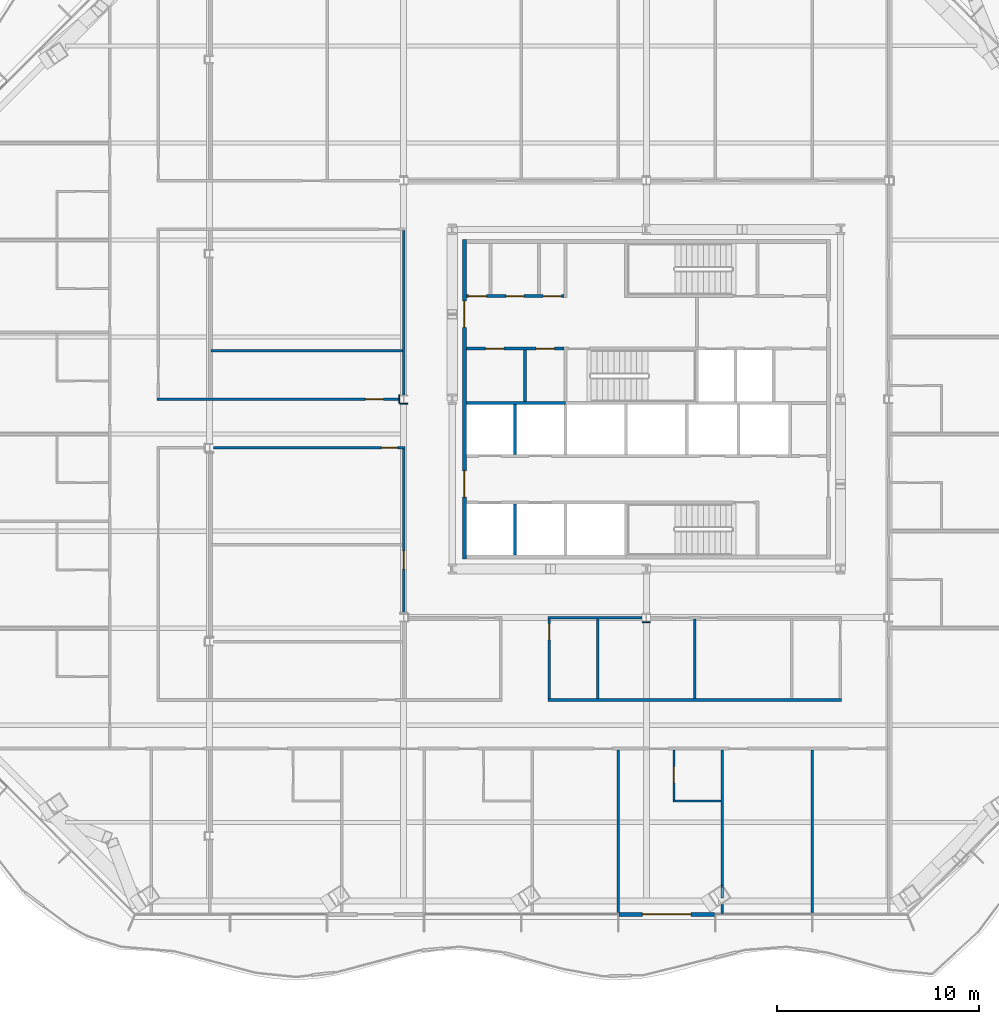
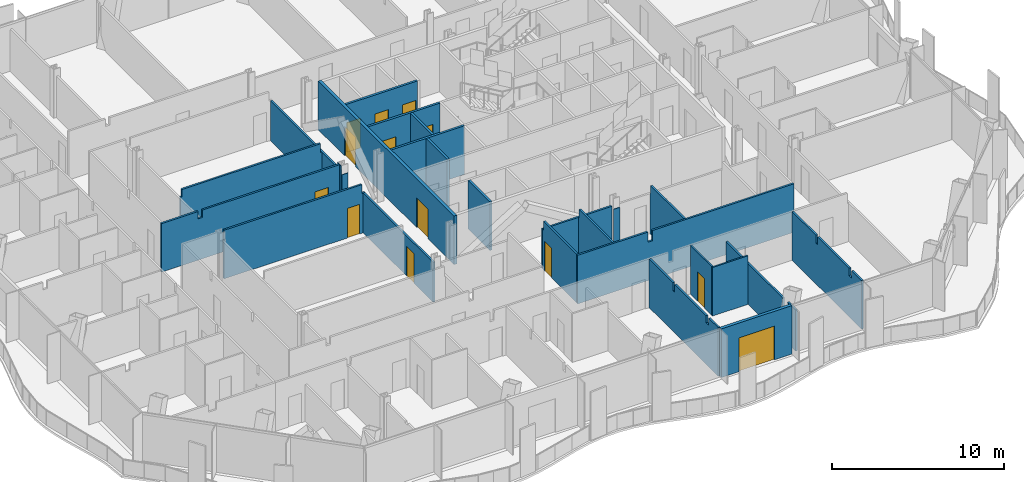
# One storey, part 8 of 17: 27 walls, 13 doors, 13 openings.
"""IFC4 building model written with IfcOpenShell, lengths in metres."""

import ifcopenshell
import ifcopenshell.guid

model = None  # the IFC model being written
_history = None  # IfcOwnerHistory: only IFC2X3 demands one
_inside = {}  # id of a spatial element -> (the spatial element, [elements in it])
_under = {}  # id of a project, library or spatial element -> (it, [spatial elements below it])
_declared = {}  # id of a project -> (the project, [libraries it declares])
_typed = {}  # id of a type object -> (the type object, [elements of that type])
_made_of = {}  # id of a material, layer set ... -> (it, [elements and type objects made of it])


def new_model(schema):
    """Start an empty IFC model of exactly this schema.

    Asked for "IFC4X3", IfcOpenShell would pick the latest addendum, in which some entities
    have other attributes; the version numbers below select the first issue.
    IFC2X3 requires an IfcOwnerHistory on every rooted entity: one is made here for all.
    """
    global model, _history
    if schema == "IFC4X3":
        model = ifcopenshell.file(schema_version=(4, 3, 0, 0))
    else:
        model = ifcopenshell.file(schema=schema)
    _inside.clear()
    _under.clear()
    _declared.clear()
    _typed.clear()
    _made_of.clear()
    _history = None
    if model.schema == "IFC2X3":
        org = make("IfcOrganization", Name="unknown")
        user = make(
            "IfcPersonAndOrganization",
            ThePerson=make("IfcPerson", FamilyName="unknown"),
            TheOrganization=org,
        )
        app = make(
            "IfcApplication",
            ApplicationDeveloper=org,
            Version="unknown",
            ApplicationFullName="unknown",
            ApplicationIdentifier="unknown",
        )
        _history = make(
            "IfcOwnerHistory",
            OwningUser=user,
            OwningApplication=app,
            ChangeAction="ADDED",
            CreationDate=0,
        )
    return model


def make(cls, **values):
    """One entity of the class cls with the attributes given. An attribute that is None is left unset."""
    return model.create_entity(
        cls, **{name: value for name, value in values.items() if value is not None}
    )


def rooted(cls, **values):
    """An entity with a GlobalId (a new one), such as an element, a storey or a relation."""
    return make(cls, GlobalId=ifcopenshell.guid.new(), OwnerHistory=_history, **values)


def si_unit(unit_type, name, prefix=None):
    """IfcSIUnit, for example si_unit("LENGTHUNIT", "METRE", prefix="MILLI")."""
    return make("IfcSIUnit", UnitType=unit_type, Prefix=prefix, Name=name)


def assignment(units):
    """IfcUnitAssignment: the units of a project."""
    return None if units is None else make("IfcUnitAssignment", Units=units)


def point(xyz):
    """IfcCartesianPoint."""
    return None if xyz is None else make("IfcCartesianPoint", Coordinates=xyz)


def direction(xyz):
    """IfcDirection."""
    return None if xyz is None else make("IfcDirection", DirectionRatios=xyz)


def frame(location, z_axis=None, x_axis=None):
    """IfcAxis2Placement3D, a coordinate frame: its origin and axes. An axis left out is left unset."""
    return make(
        "IfcAxis2Placement3D",
        Location=point(location),
        Axis=direction(z_axis),
        RefDirection=direction(x_axis),
    )


def frame_2d(location, x_axis=None):
    """IfcAxis2Placement2D, a coordinate frame in the plane: its origin and x axis."""
    return make(
        "IfcAxis2Placement2D", Location=point(location), RefDirection=direction(x_axis)
    )


def origin():
    """The frame at (0, 0, 0) with its axes left unset."""
    return frame((0.0, 0.0, 0.0))


def place(relative_to, where):
    """IfcLocalPlacement: puts the frame where relative to a parent placement (None: the world)."""
    return make(
        "IfcLocalPlacement", PlacementRelTo=relative_to, RelativePlacement=where
    )


def context(
    kind, dimensions, precision=None, world=None, true_north=None, identifier=None
):
    """IfcGeometricRepresentationContext, for example the 3D "Model" context."""
    return make(
        "IfcGeometricRepresentationContext",
        ContextIdentifier=identifier,
        ContextType=kind,
        CoordinateSpaceDimension=dimensions,
        Precision=precision,
        WorldCoordinateSystem=world,
        TrueNorth=true_north,
    )


def subcontext(parent, identifier, kind, view, scale=None):
    """IfcGeometricRepresentationSubContext, for example "Body" below "Model"."""
    return make(
        "IfcGeometricRepresentationSubContext",
        ContextIdentifier=identifier,
        ContextType=kind,
        ParentContext=parent,
        TargetScale=scale,
        TargetView=view,
    )


def project(units=None, contexts=None):
    """IfcProject with its units and contexts."""
    return rooted(
        "IfcProject",
        Name="project",
        RepresentationContexts=contexts,
        UnitsInContext=assignment(units),
    )


def spatial(cls, under=None, at=None, **own):
    """A site, building, storey or space (cls), placed at a placement, below another one or the project."""
    s = rooted(cls, ObjectPlacement=at, **own)
    if under is not None:
        _under.setdefault(under.id(), (under, []))[1].append(s)
    return s


def polyline(points):
    """IfcPolyline through the points."""
    return make("IfcPolyline", Points=[point(p) for p in points])


def profile(cls, at=None, kind="AREA", **sizes):
    """A parametric profile (cls). Its sizes go by their IFC names, for example OverallWidth=200.0."""
    return make(cls, ProfileType=kind, Position=at, **sizes)


def rectangle(**sizes):
    """IfcRectangleProfileDef."""
    return profile("IfcRectangleProfileDef", **sizes)


def outline(outer, holes=None, kind="AREA"):
    """IfcArbitraryClosedProfileDef: a profile drawn as a closed curve; with holes, ...WithVoids."""
    if holes is None:
        return make("IfcArbitraryClosedProfileDef", ProfileType=kind, OuterCurve=outer)
    return make(
        "IfcArbitraryProfileDefWithVoids",
        ProfileType=kind,
        OuterCurve=outer,
        InnerCurves=holes,
    )


def extrude(swept, where, along, depth):
    """IfcExtrudedAreaSolid: the profile swept, set in the frame where, extruded along a direction by depth."""
    return make(
        "IfcExtrudedAreaSolid",
        SweptArea=swept,
        Position=where,
        ExtrudedDirection=direction(along),
        Depth=depth,
    )


def shape(context_of_items, identifier, shape_type, items):
    """IfcShapeRepresentation: the items that make up one representation, for example the "Body"."""
    return make(
        "IfcShapeRepresentation",
        ContextOfItems=context_of_items,
        RepresentationIdentifier=identifier,
        RepresentationType=shape_type,
        Items=items,
    )


def material(Name=None, Category=None):
    """IfcMaterial."""
    return make("IfcMaterial", Name=Name, Category=Category)


def layer(
    of_material, thickness, ventilated=None, Name=None, Category=None, Priority=None
):
    """IfcMaterialLayer: one layer of a wall or slab, of a material (None: an air gap)."""
    return make(
        "IfcMaterialLayer",
        Material=of_material,
        LayerThickness=thickness,
        IsVentilated=ventilated,
        Name=Name,
        Category=Category,
        Priority=Priority,
    )


def layer_set(layers, Name=None):
    """IfcMaterialLayerSet."""
    return make("IfcMaterialLayerSet", MaterialLayers=layers, LayerSetName=Name)


def made_of(thing, what):
    """Note that an element or type object is made of a material, layer set ...; save() writes the relation."""
    if what is not None:
        _made_of.setdefault(what.id(), (what, []))[1].append(thing)
    return thing


def type_object(cls, material=None, **own):
    """A type object (cls), such as IfcWallType, which elements share."""
    return made_of(rooted(cls, **own), material)


def element(
    cls,
    number,
    at=None,
    inside=None,
    cuts=None,
    type_object=None,
    material=None,
    context=None,
    identifier="Body",
    shape_type=None,
    held_by="IfcProductDefinitionShape",
    body=None,
    shapes=None,
    **own,
):
    """One element of the class cls, such as IfcWall. Its Tag is "e" and its number.

    at: its placement. inside: the storey or other place that contains it. cuts: it is an
    opening in that element (IfcRelVoidsElement). A single representation is given by context,
    identifier, shape_type and body (its items); several are given by shapes. held_by: the class
    of the entity that holds the representations. save() writes the other relations.
    """
    e = rooted(cls, Tag="e%d" % number, ObjectPlacement=at, **own)
    if body is not None:
        shapes = [shape(context, identifier, shape_type, body)]
    if shapes is not None:
        e.Representation = make(held_by, Representations=shapes)
    if inside is not None:
        _inside.setdefault(inside.id(), (inside, []))[1].append(e)
    if cuts is not None:
        rooted(
            "IfcRelVoidsElement", RelatingBuildingElement=cuts, RelatedOpeningElement=e
        )
    if type_object is not None:
        _typed.setdefault(type_object.id(), (type_object, []))[1].append(e)
    return made_of(e, material)


def fill(opening, filler):
    """IfcRelFillsElement: the door or window that sits in an opening."""
    return rooted(
        "IfcRelFillsElement",
        RelatingOpeningElement=opening,
        RelatedBuildingElement=filler,
    )


def aggregate(whole, parts):
    """IfcRelAggregates: a whole, such as a stair, and the parts it consists of."""
    return rooted("IfcRelAggregates", RelatingObject=whole, RelatedObjects=parts)


def save(model, path):
    """Write the relations noted so far, then the file.

    IfcRelAggregates (storeys below a building ...), IfcRelContainedInSpatialStructure (elements
    in a storey), IfcRelDefinesByType, IfcRelAssociatesMaterial and IfcRelDeclares: one each for
    every whole, place, type object, material and project.
    """
    for whole, parts in _under.values():
        aggregate(whole, parts)
    for where, things in _inside.values():
        rooted(
            "IfcRelContainedInSpatialStructure",
            RelatedElements=things,
            RelatingStructure=where,
        )
    for kind, things in _typed.values():
        rooted("IfcRelDefinesByType", RelatedObjects=things, RelatingType=kind)
    for what, things in _made_of.values():
        rooted("IfcRelAssociatesMaterial", RelatedObjects=things, RelatingMaterial=what)
    for by, libraries in _declared.values():
        rooted("IfcRelDeclares", RelatingContext=by, RelatedDefinitions=libraries)
    model.write(path)


model = new_model("IFC4")

# Units and contexts
model_context = context("Model", 3, precision=1e-05, world=origin(), true_north=direction((0.0, 1.0)))
body_context = subcontext(model_context, "Body", "Model", "MODEL_VIEW")
ifc_project = project(units=[si_unit("LENGTHUNIT", "METRE"), si_unit("AREAUNIT", "SQUARE_METRE"), si_unit("VOLUMEUNIT", "CUBIC_METRE"), si_unit("PLANEANGLEUNIT", "RADIAN"), si_unit("MASSUNIT", "GRAM", prefix="KILO")], contexts=[model_context])

# Site, building, storey
site_placement = place(None, origin())
site = spatial("IfcSite", under=ifc_project, at=site_placement, CompositionType="ELEMENT")
building_placement = place(site_placement, origin())
building = spatial("IfcBuilding", under=site, at=building_placement, Name="Cairn Pilgrim Tower", CompositionType="ELEMENT")
storey_placement = place(building_placement, frame((0.0, 0.0, 94.199951171875)))
storey = spatial("IfcBuildingStorey", under=building, at=storey_placement, Name="L22", CompositionType="ELEMENT", Elevation=94.199951171875)

# Wall, opening, door
ifc_material_1 = material(Name="Bronze anodised aluminium insulated sandwich panel with mineral wool fill", Category="aluminium")
ifc_layer_1 = layer(ifc_material_1, 0.199951171875)
ifc_layer_set_1 = layer_set([ifc_layer_1], Name="BRONZE INFILL FRAME WALL 200")
wall_type_1 = type_object("IfcWallType", Name="BRONZE INFILL FRAME WALL 200", PredefinedType="NOTDEFINED", material=ifc_layer_set_1)
wall_1_placement = place(storey_placement, frame((5.83837890625, -23.07763671875, 0.0), z_axis=(0.0, 0.0, 1.0), x_axis=(1.0, 0.0, 0.0)))
wall_1 = element("IfcWall", 1, at=wall_1_placement, inside=storey, type_object=wall_type_1, Name="Bronze infill frame wall IW-S6", PredefinedType="NOTDEFINED", context=body_context, shape_type="SweptSolid", body=[
    extrude(rectangle(XDim=4.739990234375, YDim=0.199951171875, at=frame_2d((2.3701171875, 0.0))), origin(), (0.0, 0.0, 1.0), 3.449951171875),
])
opening_1_placement = place(wall_1_placement, frame((1.169677734375, 0.0, 0.0)))
opening_1 = element("IfcOpeningElement", 2, at=opening_1_placement, cuts=wall_1, Name="Opening 2207B", PredefinedType="OPENING", context=body_context, shape_type="SweptSolid", body=[
    extrude(rectangle(XDim=2.39990234375, YDim=2.39990234375, at=frame_2d((1.199951171875, 1.199951171875))), frame((0.0, 0.10986328125, 0.0), z_axis=(0.0, -1.0, 0.0), x_axis=(1.0, 0.0, 0.0)), (0.0, 0.0, 1.0), 0.219970703125),
])
ifc_material_2 = material(Name="Bronze anodised aluminium frame with tinted low-E glass", Category="aluminium")
door_type_1 = type_object("IfcDoorType", Name="BALCONY SLIDING DOOR 2400x2400", OperationType="DOUBLE_DOOR_SLIDING", PredefinedType="DOOR", material=ifc_material_2)
door_1_placement = place(opening_1_placement, origin())
door_1 = element("IfcDoor", 3, at=door_1_placement, inside=storey, type_object=door_type_1, Name="Balcony sliding door 2207B", OperationType="SINGLE_SWING_LEFT", OverallHeight=2.39990234375, OverallWidth=2.39990234375, PredefinedType="DOOR", context=body_context, shape_type="SweptSolid", body=[
    extrude(rectangle(XDim=2.39990234375, YDim=2.39990234375, at=frame_2d((1.199951171875, 1.199951171875))), frame((0.0, 0.02490234375, 0.0), z_axis=(0.0, -1.0, 0.0), x_axis=(1.0, 0.0, 0.0)), (0.0, 0.0, 1.0), 0.050048828125),
])
fill(opening_1, door_1)

# Wall, openings, doors
ifc_material_3 = material(Name="Concrete C32/40", Category="concrete")
ifc_layer_2 = layer(ifc_material_3, 0.199951171875)
ifc_layer_set_2 = layer_set([ifc_layer_2], Name="CORE OUTER WALL 200 EI 120")
wall_type_2 = type_object("IfcWallType", Name="CORE OUTER WALL 200 EI 120", PredefinedType="SOLIDWALL", material=ifc_layer_set_2)
wall_2_placement = place(storey_placement, frame((-1.800048828125, -5.5, 0.0), z_axis=(0.0, 0.0, 1.0), x_axis=(0.0, 1.0, 0.0)))
wall_2 = element("IfcWall", 4, at=wall_2_placement, inside=storey, type_object=wall_type_2, Name="CW:L22:V12", PredefinedType="SOLIDWALL", context=body_context, shape_type="SweptSolid", body=[
    extrude(rectangle(XDim=15.800048828125, YDim=0.199951171875, at=frame_2d((7.89990234375, 0.0))), origin(), (0.0, 0.0, 1.0), 3.449951171875),
])
opening_2_placement = place(wall_2_placement, frame((3.050048828125, 0.0, 0.0)))
opening_2 = element("IfcOpeningElement", 5, at=opening_2_placement, cuts=wall_2, Name="Opening CD-W1", PredefinedType="OPENING", context=body_context, shape_type="SweptSolid", body=[
    extrude(rectangle(XDim=1.300048828125, YDim=2.10009765625, at=frame_2d((0.64990234375, 1.050048828125))), frame((0.0, 0.10986328125, 0.0), z_axis=(0.0, -1.0, 0.0), x_axis=(1.0, 0.0, 0.0)), (0.0, 0.0, 1.0), 0.219970703125),
])
opening_3_placement = place(wall_2_placement, frame((11.449951171875, 0.0, 0.0)))
opening_3 = element("IfcOpeningElement", 6, at=opening_3_placement, cuts=wall_2, Name="Opening CD-W2", PredefinedType="OPENING", context=body_context, shape_type="SweptSolid", body=[
    extrude(rectangle(XDim=1.300048828125, YDim=2.10009765625, at=frame_2d((0.64990234375, 1.050048828125))), frame((0.0, 0.10986328125, 0.0), z_axis=(0.0, -1.0, 0.0), x_axis=(1.0, 0.0, 0.0)), (0.0, 0.0, 1.0), 0.219970703125),
])
ifc_material_4 = material(Name="Painted steel", Category="steel")
door_type_2 = type_object("IfcDoorType", Name="CORE LOBBY DOOR 1300x2100", OperationType="DOUBLE_DOOR_SINGLE_SWING", PredefinedType="DOOR", material=ifc_material_4)
door_2_placement = place(opening_2_placement, origin())
door_2 = element("IfcDoor", 7, at=door_2_placement, inside=storey, type_object=door_type_2, Name="CD-W1", OperationType="DOUBLE_DOOR_SINGLE_SWING", OverallHeight=2.10009765625, OverallWidth=1.300048828125, PredefinedType="DOOR", context=body_context, shape_type="SweptSolid", body=[
    extrude(rectangle(XDim=1.300048828125, YDim=2.10009765625, at=frame_2d((0.64990234375, 1.050048828125))), frame((0.0, 0.02490234375, 0.0), z_axis=(0.0, -1.0, 0.0), x_axis=(1.0, 0.0, 0.0)), (0.0, 0.0, 1.0), 0.050048828125),
])
fill(opening_2, door_2)
door_3_placement = place(opening_3_placement, origin())
door_3 = element("IfcDoor", 8, at=door_3_placement, inside=storey, type_object=door_type_2, Name="CD-W2", OperationType="DOUBLE_DOOR_SINGLE_SWING", OverallHeight=2.10009765625, OverallWidth=1.300048828125, PredefinedType="DOOR", context=body_context, shape_type="SweptSolid", body=[
    extrude(rectangle(XDim=1.300048828125, YDim=2.10009765625, at=frame_2d((0.64990234375, 1.050048828125))), frame((0.0, 0.02490234375, 0.0), z_axis=(0.0, -1.0, 0.0), x_axis=(1.0, 0.0, 0.0)), (0.0, 0.0, 1.0), 0.050048828125),
])
fill(opening_3, door_3)

ifc_layer_3 = layer(ifc_material_3, 0.14990234375)
ifc_layer_set_3 = layer_set([ifc_layer_3], Name="CORE PARTITION 150 EI 60")
wall_type_3 = type_object("IfcWallType", Name="CORE PARTITION 150 EI 60", PredefinedType="PARTITIONING", material=ifc_layer_set_3)
wall_3_placement = place(storey_placement, frame((-1.699951171875, 4.89990234375, 0.0), z_axis=(0.0, 0.0, 1.0), x_axis=(1.0, 0.0, 0.0)))
wall_3 = element("IfcWall", 9, at=wall_3_placement, inside=storey, type_object=wall_type_3, Name="CW:L22:H07", PredefinedType="PARTITIONING", context=body_context, shape_type="SweptSolid", body=[
    extrude(rectangle(XDim=4.824951171875, YDim=0.14990234375, at=frame_2d((2.41259765625, 0.0))), origin(), (0.0, 0.0, 1.0), 3.449951171875),
])
opening_4_placement = place(wall_3_placement, frame((0.949951171875, 0.0, 0.0)))
opening_4 = element("IfcOpeningElement", 10, at=opening_4_placement, cuts=wall_3, Name="Opening RD-R3W1", PredefinedType="OPENING", context=body_context, shape_type="SweptSolid", body=[
    extrude(rectangle(XDim=0.89990234375, YDim=2.10009765625, at=frame_2d((0.449951171875, 1.050048828125))), frame((0.0, 0.0849609375, 0.0), z_axis=(0.0, -1.0, 0.0), x_axis=(1.0, 0.0, 0.0)), (0.0, 0.0, 1.0), 0.169921875),
])
opening_5_placement = place(wall_3_placement, frame((3.449951171875, 0.0, 0.0)))
opening_5 = element("IfcOpeningElement", 11, at=opening_5_placement, cuts=wall_3, Name="Opening RD-R3W2", PredefinedType="OPENING", context=body_context, shape_type="SweptSolid", body=[
    extrude(rectangle(XDim=0.89990234375, YDim=2.10009765625, at=frame_2d((0.449951171875, 1.050048828125))), frame((0.0, 0.0849609375, 0.0), z_axis=(0.0, -1.0, 0.0), x_axis=(1.0, 0.0, 0.0)), (0.0, 0.0, 1.0), 0.169921875),
])
door_type_3 = type_object("IfcDoorType", Name="SERVICE ROOM DOOR 900x2100", OperationType="SINGLE_SWING_LEFT", PredefinedType="DOOR", material=ifc_material_4)
door_4_placement = place(opening_4_placement, origin())
door_4 = element("IfcDoor", 12, at=door_4_placement, inside=storey, type_object=door_type_3, Name="RD-R3W1", OperationType="SINGLE_SWING_RIGHT", OverallHeight=2.10009765625, OverallWidth=0.89990234375, PredefinedType="DOOR", context=body_context, shape_type="SweptSolid", body=[
    extrude(rectangle(XDim=0.89990234375, YDim=2.10009765625, at=frame_2d((0.449951171875, 1.050048828125))), frame((0.0, 0.02490234375, 0.0), z_axis=(0.0, -1.0, 0.0), x_axis=(1.0, 0.0, 0.0)), (0.0, 0.0, 1.0), 0.050048828125),
])
fill(opening_4, door_4)
door_5_placement = place(opening_5_placement, origin())
door_5 = element("IfcDoor", 13, at=door_5_placement, inside=storey, type_object=door_type_3, Name="RD-R3W2", OperationType="SINGLE_SWING_LEFT", OverallHeight=2.10009765625, OverallWidth=0.89990234375, PredefinedType="DOOR", context=body_context, shape_type="SweptSolid", body=[
    extrude(rectangle(XDim=0.89990234375, YDim=2.10009765625, at=frame_2d((0.449951171875, 1.050048828125))), frame((0.0, 0.02490234375, 0.0), z_axis=(0.0, -1.0, 0.0), x_axis=(1.0, 0.0, 0.0)), (0.0, 0.0, 1.0), 0.050048828125),
])
fill(opening_5, door_5)

wall_4_placement = place(storey_placement, frame((-1.699951171875, 7.5, 0.0), z_axis=(0.0, 0.0, 1.0), x_axis=(1.0, 0.0, 0.0)))
wall_4 = element("IfcWall", 14, at=wall_4_placement, inside=storey, type_object=wall_type_3, Name="CW:L22:H09", PredefinedType="PARTITIONING", context=body_context, shape_type="SweptSolid", body=[
    extrude(rectangle(XDim=4.824951171875, YDim=0.14990234375, at=frame_2d((2.41259765625, 0.0))), origin(), (0.0, 0.0, 1.0), 3.449951171875),
])
opening_6_placement = place(wall_4_placement, frame((0.10009765625, 0.0, 0.0)))
opening_6 = element("IfcOpeningElement", 15, at=opening_6_placement, cuts=wall_4, Name="Opening RD-R4W1", PredefinedType="OPENING", context=body_context, shape_type="SweptSolid", body=[
    extrude(rectangle(XDim=0.89990234375, YDim=2.10009765625, at=frame_2d((0.449951171875, 1.050048828125))), frame((0.0, 0.0849609375, 0.0), z_axis=(0.0, -1.0, 0.0), x_axis=(1.0, 0.0, 0.0)), (0.0, 0.0, 1.0), 0.169921875),
])
opening_7_placement = place(wall_4_placement, frame((1.949951171875, 0.0, 0.0)))
opening_7 = element("IfcOpeningElement", 16, at=opening_7_placement, cuts=wall_4, Name="Opening RD-R4W2", PredefinedType="OPENING", context=body_context, shape_type="SweptSolid", body=[
    extrude(rectangle(XDim=0.89990234375, YDim=2.10009765625, at=frame_2d((0.449951171875, 1.050048828125))), frame((0.0, 0.0849609375, 0.0), z_axis=(0.0, -1.0, 0.0), x_axis=(1.0, 0.0, 0.0)), (0.0, 0.0, 1.0), 0.169921875),
])
opening_8_placement = place(wall_4_placement, frame((3.800048828125, 0.0, 0.0)))
opening_8 = element("IfcOpeningElement", 17, at=opening_8_placement, cuts=wall_4, Name="Opening RD-R4W3", PredefinedType="OPENING", context=body_context, shape_type="SweptSolid", body=[
    extrude(rectangle(XDim=0.89990234375, YDim=2.10009765625, at=frame_2d((0.449951171875, 1.050048828125))), frame((0.0, 0.0849609375, 0.0), z_axis=(0.0, -1.0, 0.0), x_axis=(1.0, 0.0, 0.0)), (0.0, 0.0, 1.0), 0.169921875),
])
door_6_placement = place(opening_6_placement, origin())
door_6 = element("IfcDoor", 18, at=door_6_placement, inside=storey, type_object=door_type_3, Name="RD-R4W1", OperationType="SINGLE_SWING_RIGHT", OverallHeight=2.10009765625, OverallWidth=0.89990234375, PredefinedType="DOOR", context=body_context, shape_type="SweptSolid", body=[
    extrude(rectangle(XDim=0.89990234375, YDim=2.10009765625, at=frame_2d((0.449951171875, 1.050048828125))), frame((0.0, 0.02490234375, 0.0), z_axis=(0.0, -1.0, 0.0), x_axis=(1.0, 0.0, 0.0)), (0.0, 0.0, 1.0), 0.050048828125),
])
fill(opening_6, door_6)
door_7_placement = place(opening_7_placement, origin())
door_7 = element("IfcDoor", 19, at=door_7_placement, inside=storey, type_object=door_type_3, Name="RD-R4W2", OperationType="SINGLE_SWING_LEFT", OverallHeight=2.10009765625, OverallWidth=0.89990234375, PredefinedType="DOOR", context=body_context, shape_type="SweptSolid", body=[
    extrude(rectangle(XDim=0.89990234375, YDim=2.10009765625, at=frame_2d((0.449951171875, 1.050048828125))), frame((0.0, 0.02490234375, 0.0), z_axis=(0.0, -1.0, 0.0), x_axis=(1.0, 0.0, 0.0)), (0.0, 0.0, 1.0), 0.050048828125),
])
fill(opening_7, door_7)
door_8_placement = place(opening_8_placement, origin())
door_8 = element("IfcDoor", 20, at=door_8_placement, inside=storey, type_object=door_type_3, Name="RD-R4W3", OperationType="SINGLE_SWING_RIGHT", OverallHeight=2.10009765625, OverallWidth=0.89990234375, PredefinedType="DOOR", context=body_context, shape_type="SweptSolid", body=[
    extrude(rectangle(XDim=0.89990234375, YDim=2.10009765625, at=frame_2d((0.449951171875, 1.050048828125))), frame((0.0, 0.02490234375, 0.0), z_axis=(0.0, -1.0, 0.0), x_axis=(1.0, 0.0, 0.0)), (0.0, 0.0, 1.0), 0.050048828125),
])
fill(opening_8, door_8)

# Walls
wall_5_placement = place(storey_placement, frame((1.199951171875, 2.27490234375, 0.0), z_axis=(0.0, 0.0, 1.0), x_axis=(0.0, 1.0, 0.0)))
element("IfcWall", 21, at=wall_5_placement, inside=storey, type_object=wall_type_3, Name="CW:L22:V16", PredefinedType="PARTITIONING", context=body_context, shape_type="SweptSolid", body=[
    extrude(rectangle(XDim=2.550048828125, YDim=0.14990234375, at=frame_2d((1.27490234375, 0.0))), origin(), (0.0, 0.0, 1.0), 3.449951171875),
])
ifc_layer_4 = layer(ifc_material_3, 0.14990234375)
ifc_layer_set_4 = layer_set([ifc_layer_4], Name="CORE SHAFT WALL 150 EI 120")
wall_type_4 = type_object("IfcWallType", Name="CORE SHAFT WALL 150 EI 120", PredefinedType="SOLIDWALL", material=ifc_layer_set_4)
wall_6_placement = place(storey_placement, frame((-1.699951171875, 2.199951171875, 0.0), z_axis=(0.0, 0.0, 1.0), x_axis=(1.0, 0.0, 0.0)))
element("IfcWall", 22, at=wall_6_placement, inside=storey, type_object=wall_type_4, Name="CW:L22:H05-1", PredefinedType="SOLIDWALL", context=body_context, shape_type="SweptSolid", body=[
    extrude(rectangle(XDim=4.89990234375, YDim=0.14990234375, at=frame_2d((2.449951171875, 0.0))), origin(), (0.0, 0.0, 1.0), 3.449951171875),
])
wall_7_placement = place(storey_placement, frame((0.699951171875, -5.300048828125, 0.0), z_axis=(0.0, 0.0, 1.0), x_axis=(0.0, 1.0, 0.0)))
element("IfcWall", 23, at=wall_7_placement, inside=storey, type_object=wall_type_4, Name="CW:L22:V14", PredefinedType="SOLIDWALL", context=body_context, shape_type="SweptSolid", body=[
    extrude(rectangle(XDim=2.525146484375, YDim=0.14990234375, at=frame_2d((1.2626953125, 0.0))), origin(), (0.0, 0.0, 1.0), 3.449951171875),
])
wall_8_placement = place(storey_placement, frame((0.699951171875, -0.324951171875, 0.0), z_axis=(0.0, 0.0, 1.0), x_axis=(0.0, 1.0, 0.0)))
element("IfcWall", 24, at=wall_8_placement, inside=storey, type_object=wall_type_4, Name="CW:L22:V15", PredefinedType="SOLIDWALL", context=body_context, shape_type="SweptSolid", body=[
    extrude(rectangle(XDim=2.449951171875, YDim=0.14990234375, at=frame_2d((1.22509765625, 0.0))), origin(), (0.0, 0.0, 1.0), 3.449951171875),
])
ifc_material_5 = material(Name="Gypsum partition")
ifc_layer_5 = layer(ifc_material_5, 0.10009765625)
ifc_layer_set_5 = layer_set([ifc_layer_5], Name="PARTITION 100 DRYWALL")
wall_type_5 = type_object("IfcWallType", Name="PARTITION 100 DRYWALL", PredefinedType="PARTITIONING", material=ifc_layer_set_5)
wall_9_placement = place(storey_placement, frame((8.510986328125, -17.47802734375, 0.0), z_axis=(0.0, 0.0, 1.0), x_axis=(1.0, 0.0, 0.0)))
element("IfcWall", 25, at=wall_9_placement, inside=storey, type_object=wall_type_5, Name="PARTITION W017", PredefinedType="PARTITIONING", context=body_context, shape_type="SweptSolid", body=[
    extrude(rectangle(XDim=2.387451171875, YDim=0.10009765625, at=frame_2d((1.19384765625, 0.0))), origin(), (0.0, 0.0, 1.0), 3.449951171875),
])

# Wall, opening, door
wall_10_placement = place(storey_placement, frame((8.56103515625, -17.427978515625, 0.0), z_axis=(0.0, 0.0, 1.0), x_axis=(0.0, 1.0, 0.0)))
wall_10 = element("IfcWall", 26, at=wall_10_placement, inside=storey, type_object=wall_type_5, Name="PARTITION W020", PredefinedType="PARTITIONING", context=body_context, shape_type="SweptSolid", body=[
    extrude(rectangle(XDim=2.487548828125, YDim=0.10009765625, at=frame_2d((1.24365234375, 0.0))), origin(), (0.0, 0.0, 1.0), 3.449951171875),
])
opening_9_placement = place(wall_10_placement, frame((0.85009765625, 0.0, 0.0)))
opening_9 = element("IfcOpeningElement", 27, at=opening_9_placement, cuts=wall_10, Name="Opening 2207E", PredefinedType="OPENING", context=body_context, shape_type="SweptSolid", body=[
    extrude(rectangle(XDim=0.800048828125, YDim=2.10009765625, at=frame_2d((0.39990234375, 1.050048828125))), frame((0.0, 0.06005859375, 0.0), z_axis=(0.0, -1.0, 0.0), x_axis=(1.0, 0.0, 0.0)), (0.0, 0.0, 1.0), 0.1201171875),
])
ifc_material_6 = material(Name="Timber door leaf", Category="wood")
door_type_4 = type_object("IfcDoorType", Name="DOOR 800x2100", OperationType="NOTDEFINED", PredefinedType="DOOR", material=ifc_material_6)
door_9_placement = place(opening_9_placement, frame((0.800048828125, 0.0, 0.0), z_axis=(0.0, 0.0, 1.0), x_axis=(-1.0, 0.0, 0.0)))
door_9 = element("IfcDoor", 28, at=door_9_placement, inside=storey, type_object=door_type_4, Name="DOOR 2207E", OperationType="SINGLE_SWING_LEFT", OverallHeight=2.10009765625, OverallWidth=0.800048828125, PredefinedType="DOOR", context=body_context, shape_type="SweptSolid", body=[
    extrude(rectangle(XDim=0.800048828125, YDim=2.10009765625, at=frame_2d((0.39990234375, 1.050048828125))), frame((0.0, 0.02490234375, 0.0), z_axis=(0.0, -1.0, 0.0), x_axis=(1.0, 0.0, 0.0)), (0.0, 0.0, 1.0), 0.050048828125),
])
fill(opening_9, door_9)

# Walls
ifc_layer_6 = layer(ifc_material_5, 0.125)
ifc_layer_set_6 = layer_set([ifc_layer_6], Name="PARTITION 125 DRYWALL EI 60")
wall_type_6 = type_object("IfcWallType", Name="PARTITION 125 DRYWALL EI 60", PredefinedType="PARTITIONING", material=ifc_layer_set_6)
wall_11_placement = place(storey_placement, frame((5.80810546875, -22.977783203125, 0.0), z_axis=(0.0, 0.0, 1.0), x_axis=(0.0, 1.0, 0.0)))
element("IfcWall", 29, at=wall_11_placement, inside=storey, type_object=wall_type_6, Name="PARTITION W005", PredefinedType="PARTITIONING", context=body_context, shape_type="SweptSolid", body=[
    extrude(outline(polyline([(0.0, 0.0), (8.037353515625, 0.0), (8.037109375, 3.449951171875), (5.274169921875, 3.449951171875), (5.272216796875, 2.880126953125), (5.064208984375, 2.880126953125), (5.06201171875, 3.449951171875), (1.419189453125, 3.449951171875), (1.4169921875, 2.929931640625), (1.119140625, 2.929931640625), (1.1171875, 3.449951171875), (0.0, 3.449951171875), (0.0, 0.0)])), frame((0.0, 0.0625, 0.0), z_axis=(0.0, -1.0, 0.0), x_axis=(1.0, 0.0, 0.0)), (0.0, 0.0, 1.0), 0.125),
])
wall_12_placement = place(storey_placement, frame((10.9609375, -23.03076171875, 0.0), z_axis=(0.0, 0.0, 1.0), x_axis=(0.0, 1.0, 0.0)))
element("IfcWall", 30, at=wall_12_placement, inside=storey, type_object=wall_type_6, Name="PARTITION W006", PredefinedType="PARTITIONING", context=body_context, shape_type="SweptSolid", body=[
    extrude(outline(polyline([(0.0, 0.0), (0.43994140625, 0.0), (0.43994140625, 0.862548828125), (0.43994140625, 1.72509765625), (0.71142578125, 2.587646484375), (0.933837890625, 2.929931640625), (0.0, 2.929931640625), (0.0, 2.587646484375), (0.0, 1.72509765625), (0.0, 0.862548828125), (0.0, 0.0)])), frame((0.0, 0.0625, 0.0), z_axis=(0.0, -1.0, 0.0), x_axis=(1.0, 0.0, 0.0)), (0.0, 0.0, 1.0), 0.125),
])
wall_13_placement = place(storey_placement, frame((15.407958984375, -23.017578125, 0.0), z_axis=(0.0, 0.0, 1.0), x_axis=(0.0, 1.0, 0.0)))
element("IfcWall", 31, at=wall_13_placement, inside=storey, type_object=wall_type_6, Name="PARTITION W007", PredefinedType="PARTITIONING", context=body_context, shape_type="SweptSolid", body=[
    extrude(outline(polyline([(0.0, 0.0), (8.0771484375, 0.0), (8.0771484375, 3.449951171875), (5.314208984375, 3.449951171875), (5.31201171875, 2.880126953125), (5.10400390625, 2.880126953125), (5.10205078125, 3.449951171875), (1.458984375, 3.449951171875), (1.45703125, 2.929931640625), (1.1591796875, 2.929931640625), (1.156982421875, 3.449951171875), (0.0, 3.449951171875), (0.0, 0.0)])), frame((0.0, 0.0625, 0.0), z_axis=(0.0, -1.0, 0.0), x_axis=(1.0, 0.0, 0.0)), (0.0, 0.0, 1.0), 0.125),
])
wall_14_placement = place(storey_placement, frame((10.9609375, -22.278564453125, 0.0), z_axis=(0.0, 0.0, 1.0), x_axis=(0.0, 1.0, 0.0)))
element("IfcWall", 32, at=wall_14_placement, inside=storey, type_object=wall_type_6, Name="PARTITION W013", PredefinedType="PARTITIONING", context=body_context, shape_type="SweptSolid", body=[
    extrude(outline(polyline([(0.0, 0.0), (7.338134765625, 0.0), (7.338134765625, 0.862548828125), (7.338134765625, 1.72509765625), (7.338134765625, 2.587646484375), (7.338134765625, 2.880126953125), (0.732666015625, 2.880126953125), (0.732666015625, 2.587646484375), (0.732666015625, 1.72509765625), (0.56005859375, 0.862548828125), (0.0, 0.0)])), frame((0.0, 0.0625, 0.0), z_axis=(0.0, -1.0, 0.0), x_axis=(1.0, 0.0, 0.0)), (0.0, 0.0, 1.0), 0.125),
])
wall_15_placement = place(storey_placement, frame((2.33740234375, -12.47802734375, 0.0), z_axis=(0.0, 0.0, 1.0), x_axis=(1.0, 0.0, 0.0)))
element("IfcWall", 33, at=wall_15_placement, inside=storey, type_object=wall_type_6, Name="PARTITION W026", PredefinedType="PARTITIONING", context=body_context, shape_type="SweptSolid", body=[
    extrude(outline(polyline([(0.0, 0.0), (14.525146484375, 0.0), (14.52490234375, 3.449951171875), (5.012451171875, 3.449951171875), (5.010498046875, 2.72998046875), (4.71240234375, 2.72998046875), (4.71044921875, 3.449951171875), (0.0, 3.449951171875), (0.0, 0.0)])), frame((0.0, 0.0625, 0.0), z_axis=(0.0, -1.0, 0.0), x_axis=(1.0, 0.0, 0.0)), (0.0, 0.0, 1.0), 0.125),
])

# Wall, opening, door
wall_16_placement = place(storey_placement, frame((2.39990234375, -12.41552734375, 0.0), z_axis=(0.0, 0.0, 1.0), x_axis=(0.0, 1.0, 0.0)))
wall_16 = element("IfcWall", 34, at=wall_16_placement, inside=storey, type_object=wall_type_6, Name="PARTITION W031", PredefinedType="PARTITIONING", context=body_context, shape_type="SweptSolid", body=[
    extrude(outline(polyline([(0.0, 0.0), (3.953125, 0.0), (3.952880859375, 2.830078125), (3.865478515625, 2.830078125), (3.863525390625, 3.449951171875), (0.0, 3.449951171875), (0.0, 0.0)])), frame((0.0, 0.0625, 0.0), z_axis=(0.0, -1.0, 0.0), x_axis=(1.0, 0.0, 0.0)), (0.0, 0.0, 1.0), 0.125),
])
opening_10_placement = place(wall_16_placement, frame((2.91552734375, 0.0, 0.0)))
opening_10 = element("IfcOpeningElement", 35, at=opening_10_placement, cuts=wall_16, Name="Opening 2237", PredefinedType="OPENING", context=body_context, shape_type="SweptSolid", body=[
    extrude(rectangle(XDim=0.800048828125, YDim=2.10009765625, at=frame_2d((0.39990234375, 1.050048828125))), frame((0.0, 0.072509765625, 0.0), z_axis=(0.0, -1.0, 0.0), x_axis=(1.0, 0.0, 0.0)), (0.0, 0.0, 1.0), 0.14501953125),
])
ifc_material_7 = material(Name="Steel-faced fire door leaf", Category="steel")
door_type_5 = type_object("IfcDoorType", Name="FIRE DOOR 800x2100 FD30S", OperationType="NOTDEFINED", PredefinedType="DOOR", material=ifc_material_7)
door_10_placement = place(opening_10_placement, frame((0.800048828125, 0.0, 0.0), z_axis=(0.0, 0.0, 1.0), x_axis=(-1.0, 0.0, 0.0)))
door_10 = element("IfcDoor", 36, at=door_10_placement, inside=storey, type_object=door_type_5, Name="DOOR 2237", OperationType="SINGLE_SWING_RIGHT", OverallHeight=2.10009765625, OverallWidth=0.800048828125, PredefinedType="DOOR", context=body_context, shape_type="SweptSolid", body=[
    extrude(rectangle(XDim=0.800048828125, YDim=2.10009765625, at=frame_2d((0.39990234375, 1.050048828125))), frame((0.0, 0.02490234375, 0.0), z_axis=(0.0, -1.0, 0.0), x_axis=(1.0, 0.0, 0.0)), (0.0, 0.0, 1.0), 0.050048828125),
])
fill(opening_10, door_10)

# Walls
for number, where, z_axis, x_axis, name in (
    (37, (4.800048828125, -12.41552734375, 0.0), (0.0, 0.0, 1.0), (0.0, 1.0, 0.0), "PARTITION W032"),
    (38, (9.60009765625, -12.41552734375, 0.0), (0.0, 0.0, 1.0), (0.0, 1.0, 0.0), "PARTITION W033"),
):
    element("IfcWall", number, at=place(storey_placement, frame(where, z_axis=z_axis, x_axis=x_axis)), inside=storey, type_object=wall_type_6, Name=name, PredefinedType="PARTITIONING", context=body_context, shape_type="SweptSolid", body=[
        extrude(outline(polyline([(0.0, 0.0), (3.953125, 0.0), (3.952880859375, 2.830078125), (3.865478515625, 2.830078125), (3.863525390625, 3.449951171875), (0.0, 3.449951171875), (0.0, 0.0)])), frame((0.0, 0.0625, 0.0), z_axis=(0.0, -1.0, 0.0), x_axis=(1.0, 0.0, 0.0)), (0.0, 0.0, 1.0), 0.125),
    ])
wall_17_placement = place(storey_placement, frame((2.33740234375, -8.39990234375, 0.0), z_axis=(0.0, 0.0, 1.0), x_axis=(1.0, 0.0, 0.0)))
element("IfcWall", 39, at=wall_17_placement, inside=storey, type_object=wall_type_6, Name="PARTITION W044", PredefinedType="PARTITIONING", context=body_context, shape_type="SweptSolid", body=[
    extrude(rectangle(XDim=4.658203125, YDim=0.125, at=frame_2d((2.3291015625, 0.0))), origin(), (0.0, 0.0, 1.0), 2.830078125),
])

# Wall, opening, door
wall_18_placement = place(storey_placement, frame((-4.800048828125, -8.1875, 0.0), z_axis=(0.0, 0.0, 1.0), x_axis=(0.0, 1.0, 0.0)))
wall_18 = element("IfcWall", 40, at=wall_18_placement, inside=storey, type_object=wall_type_6, Name="PARTITION W046", PredefinedType="PARTITIONING", context=body_context, shape_type="SweptSolid", body=[
    extrude(rectangle(XDim=8.125, YDim=0.125, at=frame_2d((4.0625, 0.0))), origin(), (0.0, 0.0, 1.0), 2.830078125),
])
opening_11_placement = place(wall_18_placement, frame((2.1875, 0.0, 0.0)))
opening_11 = element("IfcOpeningElement", 41, at=opening_11_placement, cuts=wall_18, Name="Opening 2230", PredefinedType="OPENING", context=body_context, shape_type="SweptSolid", body=[
    extrude(rectangle(XDim=0.89990234375, YDim=2.10009765625, at=frame_2d((0.449951171875, 1.050048828125))), frame((0.0, 0.072509765625, 0.0), z_axis=(0.0, -1.0, 0.0), x_axis=(1.0, 0.0, 0.0)), (0.0, 0.0, 1.0), 0.14501953125),
])
door_type_6 = type_object("IfcDoorType", Name="FIRE DOOR 900x2100 FD30S", OperationType="NOTDEFINED", PredefinedType="DOOR", material=ifc_material_7)
door_11_placement = place(opening_11_placement, origin())
door_11 = element("IfcDoor", 42, at=door_11_placement, inside=storey, type_object=door_type_6, Name="DOOR 2230", OperationType="SINGLE_SWING_LEFT", OverallHeight=2.10009765625, OverallWidth=0.89990234375, PredefinedType="DOOR", context=body_context, shape_type="SweptSolid", body=[
    extrude(rectangle(XDim=0.89990234375, YDim=2.10009765625, at=frame_2d((0.449951171875, 1.050048828125))), frame((0.0, 0.02490234375, 0.0), z_axis=(0.0, -1.0, 0.0), x_axis=(1.0, 0.0, 0.0)), (0.0, 0.0, 1.0), 0.050048828125),
])
fill(opening_11, door_11)

wall_19_placement = place(storey_placement, frame((-14.195556640625, 0.0, 0.0), z_axis=(0.0, 0.0, 1.0), x_axis=(1.0, 0.0, 0.0)))
wall_19 = element("IfcWall", 43, at=wall_19_placement, inside=storey, type_object=wall_type_6, Name="PARTITION W060", PredefinedType="PARTITIONING", context=body_context, shape_type="SweptSolid", body=[
    extrude(outline(polyline([(0.0, 0.0), (9.4580078125, 0.0), (9.4580078125, 2.830078125), (9.24560546875, 2.830078125), (9.243408203125, 3.449951171875), (0.0, 3.449951171875), (0.0, 0.0)])), frame((0.0, 0.0625, 0.0), z_axis=(0.0, -1.0, 0.0), x_axis=(1.0, 0.0, 0.0)), (0.0, 0.0, 1.0), 0.125),
])
opening_12_placement = place(wall_19_placement, frame((8.29541015625, 0.0, 0.0)))
opening_12 = element("IfcOpeningElement", 44, at=opening_12_placement, cuts=wall_19, Name="Opening 2231", PredefinedType="OPENING", context=body_context, shape_type="SweptSolid", body=[
    extrude(rectangle(XDim=0.800048828125, YDim=2.10009765625, at=frame_2d((0.39990234375, 1.050048828125))), frame((0.0, 0.072509765625, 0.0), z_axis=(0.0, -1.0, 0.0), x_axis=(1.0, 0.0, 0.0)), (0.0, 0.0, 1.0), 0.14501953125),
])
door_12_placement = place(opening_12_placement, frame((0.800048828125, 0.0, 0.0), z_axis=(0.0, 0.0, 1.0), x_axis=(-1.0, 0.0, 0.0)))
door_12 = element("IfcDoor", 45, at=door_12_placement, inside=storey, type_object=door_type_5, Name="DOOR 2231", OperationType="SINGLE_SWING_RIGHT", OverallHeight=2.10009765625, OverallWidth=0.800048828125, PredefinedType="DOOR", context=body_context, shape_type="SweptSolid", body=[
    extrude(rectangle(XDim=0.800048828125, YDim=2.10009765625, at=frame_2d((0.39990234375, 1.050048828125))), frame((0.0, 0.02490234375, 0.0), z_axis=(0.0, -1.0, 0.0), x_axis=(1.0, 0.0, 0.0)), (0.0, 0.0, 1.0), 0.050048828125),
])
fill(opening_12, door_12)

wall_20_placement = place(storey_placement, frame((-17.00439453125, 2.39990234375, 0.0), z_axis=(0.0, 0.0, 1.0), x_axis=(1.0, 0.0, 0.0)))
wall_20 = element("IfcWall", 46, at=wall_20_placement, inside=storey, type_object=wall_type_6, Name="PARTITION W064", PredefinedType="PARTITIONING", context=body_context, shape_type="SweptSolid", body=[
    extrude(outline(polyline([(0.0, 0.0), (12.0, 0.0), (12.0, 3.449951171875), (2.75439453125, 3.449951171875), (2.75244140625, 2.929931640625), (2.45458984375, 2.929931640625), (2.452392578125, 3.449951171875), (0.0, 3.449951171875), (0.0, 0.0)])), frame((0.0, 0.0625, 0.0), z_axis=(0.0, -1.0, 0.0), x_axis=(1.0, 0.0, 0.0)), (0.0, 0.0, 1.0), 0.125),
])
opening_13_placement = place(wall_20_placement, frame((10.304443359375, 0.0, 0.0)))
opening_13 = element("IfcOpeningElement", 47, at=opening_13_placement, cuts=wall_20, Name="Opening 2232", PredefinedType="OPENING", context=body_context, shape_type="SweptSolid", body=[
    extrude(rectangle(XDim=0.89990234375, YDim=2.10009765625, at=frame_2d((0.449951171875, 1.050048828125))), frame((0.0, 0.072509765625, 0.0), z_axis=(0.0, -1.0, 0.0), x_axis=(1.0, 0.0, 0.0)), (0.0, 0.0, 1.0), 0.14501953125),
])
door_13_placement = place(opening_13_placement, origin())
door_13 = element("IfcDoor", 48, at=door_13_placement, inside=storey, type_object=door_type_6, Name="DOOR 2232", OperationType="SINGLE_SWING_LEFT", OverallHeight=2.10009765625, OverallWidth=0.89990234375, PredefinedType="DOOR", context=body_context, shape_type="SweptSolid", body=[
    extrude(rectangle(XDim=0.89990234375, YDim=2.10009765625, at=frame_2d((0.449951171875, 1.050048828125))), frame((0.0, 0.02490234375, 0.0), z_axis=(0.0, -1.0, 0.0), x_axis=(1.0, 0.0, 0.0)), (0.0, 0.0, 1.0), 0.050048828125),
])
fill(opening_13, door_13)

# Walls
wall_21_placement = place(storey_placement, frame((-4.800048828125, 2.612548828125, 0.0), z_axis=(0.0, 0.0, 1.0), x_axis=(0.0, 1.0, 0.0)))
element("IfcWall", 49, at=wall_21_placement, inside=storey, type_object=wall_type_6, Name="PARTITION W067", PredefinedType="PARTITIONING", context=body_context, shape_type="SweptSolid", body=[
    extrude(rectangle(XDim=8.125, YDim=0.125, at=frame_2d((4.0625, 0.0))), origin(), (0.0, 0.0, 1.0), 2.830078125),
])
wall_22_placement = place(storey_placement, frame((-14.33740234375, 4.800048828125, 0.0), z_axis=(0.0, 0.0, 1.0), x_axis=(1.0, 0.0, 0.0)))
element("IfcWall", 50, at=wall_22_placement, inside=storey, type_object=wall_type_6, Name="PARTITION W072", PredefinedType="PARTITIONING", context=body_context, shape_type="SweptSolid", body=[
    extrude(outline(polyline([(0.0, 0.0), (9.474853515625, 0.0), (9.47509765625, 2.830078125), (9.387451171875, 2.830078125), (9.385498046875, 3.449951171875), (0.08740234375, 3.449951171875), (0.08544921875, 2.929931640625), (0.0, 2.929931640625), (0.0, 0.0)])), frame((0.0, 0.0625, 0.0), z_axis=(0.0, -1.0, 0.0), x_axis=(1.0, 0.0, 0.0)), (0.0, 0.0, 1.0), 0.125),
])
ifc_layer_7 = layer(ifc_material_5, 0.050048828125)
ifc_layer_set_7 = layer_set([ifc_layer_7], Name="PARTITION 50 DRYWALL EI 60")
wall_type_7 = type_object("IfcWallType", Name="PARTITION 50 DRYWALL EI 60", PredefinedType="PARTITIONING", material=ifc_layer_set_7)
wall_23_placement = place(storey_placement, frame((6.99560546875, -8.637451171875, 0.0), z_axis=(0.0, 0.0, 1.0), x_axis=(1.0, 0.0, 0.0)))
element("IfcWall", 51, at=wall_23_placement, inside=storey, type_object=wall_type_7, Name="COLUMN CASING WC10", PredefinedType="PARTITIONING", context=body_context, shape_type="SweptSolid", body=[
    extrude(rectangle(XDim=0.408935546875, YDim=0.050048828125, at=frame_2d((0.20458984375, 0.0))), origin(), (0.0, 0.0, 1.0), 2.72998046875),
])
wall_24_placement = place(storey_placement, frame((-5.00439453125, 2.16259765625, 0.0), z_axis=(0.0, 0.0, 1.0), x_axis=(1.0, 0.0, 0.0)))
element("IfcWall", 52, at=wall_24_placement, inside=storey, type_object=wall_type_7, Name="COLUMN CASING WC12", PredefinedType="PARTITIONING", context=body_context, shape_type="SweptSolid", body=[
    extrude(rectangle(XDim=0.408935546875, YDim=0.050048828125, at=frame_2d((0.20458984375, 0.0))), origin(), (0.0, 0.0, 1.0), 2.830078125),
])
wall_25_placement = place(storey_placement, frame((-5.029541015625, 2.1875, 0.0), z_axis=(0.0, 0.0, 1.0), x_axis=(0.0, 1.0, 0.0)))
element("IfcWall", 53, at=wall_25_placement, inside=storey, type_object=wall_type_7, Name="COLUMN CASING WC14", PredefinedType="PARTITIONING", context=body_context, shape_type="SweptSolid", body=[
    extrude(rectangle(XDim=0.425048828125, YDim=0.050048828125, at=frame_2d((0.21240234375, 0.0))), origin(), (0.0, 0.0, 1.0), 3.449951171875),
])

save(model, "model.ifc")
